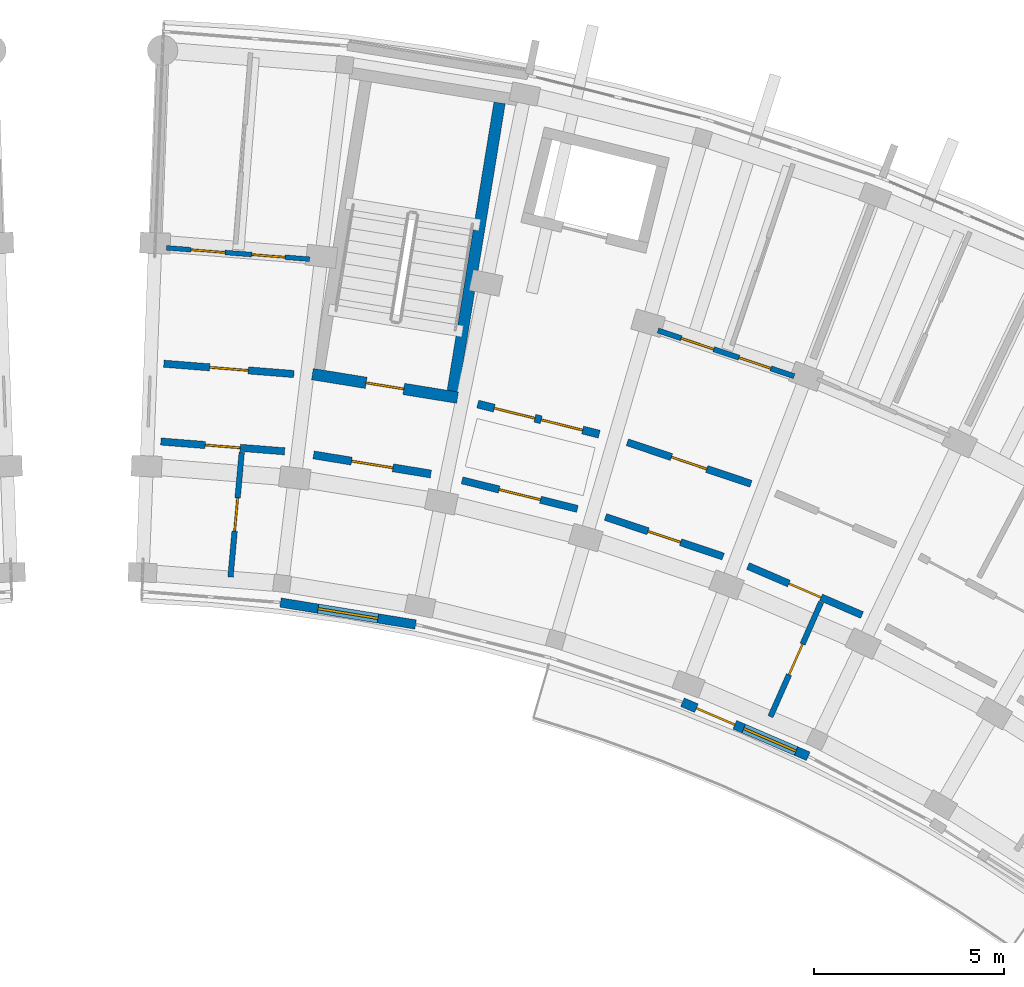
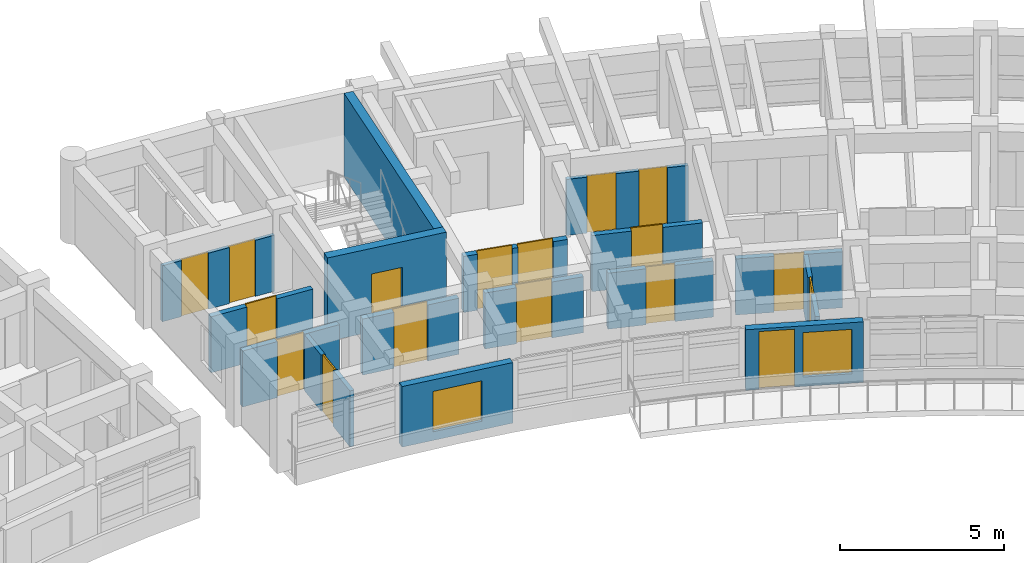
# One storey, part 30 of 56: 17 doors, 16 walls, 2 windows, 19 openings.
"""IFC4 building model written with IfcOpenShell, lengths in metres."""

from ifc_helpers import new_model, si_unit, direction, frame, frame_2d, origin, place, context, subcontext, project, spatial, rectangle, extrude, material, layer, layer_set, type_object, element, fill, save


model = new_model("IFC4")

# Units and contexts
model_context = context("Model", 3, precision=1e-05, world=origin(), true_north=direction((0.0, 1.0)))
body_context = subcontext(model_context, "Body", "Model", "MODEL_VIEW")
ifc_project = project(units=[si_unit("LENGTHUNIT", "METRE"), si_unit("AREAUNIT", "SQUARE_METRE"), si_unit("VOLUMEUNIT", "CUBIC_METRE"), si_unit("PLANEANGLEUNIT", "RADIAN"), si_unit("MASSUNIT", "GRAM", prefix="KILO")], contexts=[model_context])

# Site, building, storey
site_placement = place(None, origin())
site = spatial("IfcSite", under=ifc_project, at=site_placement, CompositionType="ELEMENT")
building_placement = place(site_placement, origin())
building = spatial("IfcBuilding", under=site, at=building_placement, Name="Zimvara Arc Housing Community", CompositionType="ELEMENT")
storey_placement = place(building_placement, frame((0.0, 0.0, 17.39990234375)))
storey = spatial("IfcBuildingStorey", under=building, at=storey_placement, Name="L05", CompositionType="ELEMENT", Elevation=17.39990234375)

# Wall, opening, window
ifc_material_1 = material(Name="Pigmented Fair-Faced Concrete C35/45", Category="concrete")
ifc_layer_1 = layer(ifc_material_1, 0.2451171875)
ifc_layer_set_1 = layer_set([ifc_layer_1], Name="Pigmented Fair-Faced Concrete C35/45")
wall_type_1 = type_object("IfcWallType", Name="EWL-PIGM-245", PredefinedType="SOLIDWALL", material=ifc_layer_set_1)
wall_1_placement = place(storey_placement, frame((50.36474609375, 88.79541015625, 0.0), z_axis=(0.0, 0.0, 1.0), x_axis=(0.987080874485, -0.160222804952, 0.0)))
wall_1 = element("IfcWall", 1, at=wall_1_placement, inside=storey, type_object=wall_type_1, Name="ewall:blkB:L05:in:b1", PredefinedType="SOLIDWALL", context=body_context, shape_type="SweptSolid", body=[
    extrude(rectangle(XDim=3.603759765625, YDim=0.2451171875, at=frame_2d((1.8017578125, 0.0))), origin(), (0.0, 0.0, 1.0), 2.25),
])
opening_1_placement = place(wall_1_placement, frame((1.001708984375, 0.0, 0.320068359375)))
opening_1 = element("IfcOpeningElement", 2, at=opening_1_placement, cuts=wall_1, Name="Opening W03", PredefinedType="OPENING", context=body_context, shape_type="SweptSolid", body=[
    extrude(rectangle(XDim=1.60009765625, YDim=1.5, at=frame_2d((0.800048828125, 0.75))), frame((0.0, 0.132568359375, 0.0), z_axis=(0.0, -1.0, 0.0), x_axis=(1.0, 0.0, 0.0)), (0.0, 0.0, 1.0), 0.26513671875),
])
ifc_material_2 = material(Name="Solar Control Low-E Double Glazing", Category="glass")
window_type_1 = type_object("IfcWindowType", Name="WIN-RES-1600x1500", PartitioningType="DOUBLE_PANEL_VERTICAL", PredefinedType="WINDOW", material=ifc_material_2)
window_1_placement = place(opening_1_placement, origin())
window_1 = element("IfcWindow", 3, at=window_1_placement, inside=storey, type_object=window_type_1, Name="win:blkB:L05:in:b1", OverallHeight=1.5, OverallWidth=1.60009765625, PartitioningType="DOUBLE_PANEL_VERTICAL", PredefinedType="WINDOW", context=body_context, shape_type="SweptSolid", body=[
    extrude(rectangle(XDim=1.60009765625, YDim=1.5, at=frame_2d((0.800048828125, 0.75))), frame((0.0, 0.030029296875, 0.0), z_axis=(0.0, -1.0, 0.0), x_axis=(1.0, 0.0, 0.0)), (0.0, 0.0, 1.0), 0.06005859375),
])
fill(opening_1, window_1)

# Wall, openings, door, window
wall_2_placement = place(storey_placement, frame((60.95068359375, 86.170654296875, 0.0), z_axis=(0.0, 0.0, 1.0), x_axis=(0.918713438577, -0.394924825477, 0.0)))
wall_2 = element("IfcWall", 4, at=wall_2_placement, inside=storey, type_object=wall_type_1, Name="ewall:blkB:L05:in:b4", PredefinedType="SOLIDWALL", context=body_context, shape_type="SweptSolid", body=[
    extrude(rectangle(XDim=3.603515625, YDim=0.2451171875, at=frame_2d((1.8017578125, 0.0))), origin(), (0.0, 0.0, 1.0), 2.25),
])
opening_2_placement = place(wall_2_placement, frame((0.39990234375, 0.0, 0.0)))
opening_2 = element("IfcOpeningElement", 5, at=opening_2_placement, cuts=wall_2, Name="Opening ED06", PredefinedType="OPENING", context=body_context, shape_type="SweptSolid", body=[
    extrude(rectangle(XDim=1.10009765625, YDim=2.14990234375, at=frame_2d((0.550048828125, 1.074951171875))), frame((0.0, 0.132568359375, 0.0), z_axis=(0.0, -1.0, 0.0), x_axis=(1.0, 0.0, 0.0)), (0.0, 0.0, 1.0), 0.26513671875),
])
opening_3_placement = place(wall_2_placement, frame((1.753662109375, 0.0, 0.35009765625)))
opening_3 = element("IfcOpeningElement", 6, at=opening_3_placement, cuts=wall_2, Name="Opening W07", PredefinedType="OPENING", context=body_context, shape_type="SweptSolid", body=[
    extrude(rectangle(XDim=1.5, YDim=1.64990234375, at=frame_2d((0.75, 0.824951171875))), frame((0.0, 0.132568359375, 0.0), z_axis=(0.0, -1.0, 0.0), x_axis=(1.0, 0.0, 0.0)), (0.0, 0.0, 1.0), 0.26513671875),
])
ifc_material_3 = material(Name="Anodised Aluminium AW-6063", Category="aluminium")
door_type_1 = type_object("IfcDoorType", Name="EDR-TERR-1100x2150", OperationType="NOTDEFINED", PredefinedType="DOOR", material=ifc_material_3)
door_1_placement = place(opening_2_placement, origin())
door_1 = element("IfcDoor", 7, at=door_1_placement, inside=storey, type_object=door_type_1, Name="edoor:blkB:L05:bal_in:b4", OperationType="SINGLE_SWING_RIGHT", OverallHeight=2.14990234375, OverallWidth=1.10009765625, PredefinedType="DOOR", context=body_context, shape_type="SweptSolid", body=[
    extrude(rectangle(XDim=1.10009765625, YDim=2.14990234375, at=frame_2d((0.550048828125, 1.074951171875))), frame((0.0, 0.02490234375, 0.0), z_axis=(0.0, -1.0, 0.0), x_axis=(1.0, 0.0, 0.0)), (0.0, 0.0, 1.0), 0.050048828125),
])
fill(opening_2, door_1)
ifc_material_4 = material(Name="Solar Control Low-E Double Glazing", Category="glass")
window_type_2 = type_object("IfcWindowType", Name="WIN-RES-1500x1650", PartitioningType="DOUBLE_PANEL_VERTICAL", PredefinedType="WINDOW", material=ifc_material_4)
window_2_placement = place(opening_3_placement, origin())
window_2 = element("IfcWindow", 8, at=window_2_placement, inside=storey, type_object=window_type_2, Name="win:blkB:L05:in:b4:balw", OverallHeight=1.64990234375, OverallWidth=1.5, PartitioningType="DOUBLE_PANEL_VERTICAL", PredefinedType="WINDOW", context=body_context, shape_type="SweptSolid", body=[
    extrude(rectangle(XDim=1.5, YDim=1.64990234375, at=frame_2d((0.75, 0.824951171875))), frame((0.0, 0.030029296875, 0.0), z_axis=(0.0, -1.0, 0.0), x_axis=(1.0, 0.0, 0.0)), (0.0, 0.0, 1.0), 0.06005859375),
])
fill(opening_3, window_2)

# Wall, opening, door
ifc_material_5 = material(Name="Concrete C35/45", Category="concrete")
ifc_layer_2 = layer(ifc_material_5, 0.2099609375)
ifc_layer_set_2 = layer_set([ifc_layer_2], Name="Concrete C35/45")
wall_type_2 = type_object("IfcWallType", Name="IWL-CCF-210", PredefinedType="SOLIDWALL", material=ifc_layer_set_2)
wall_3_placement = place(storey_placement, frame((51.236328125, 92.682861328125, 0.0), z_axis=(0.0, 0.0, 1.0), x_axis=(0.98707079686, -0.160284877599, 0.0)))
wall_3 = element("IfcWall", 9, at=wall_3_placement, inside=storey, type_object=wall_type_2, Name="iwall:blkB:L05:ccf_div:b1", PredefinedType="SOLIDWALL", context=body_context, shape_type="SweptSolid", body=[
    extrude(rectangle(XDim=3.128662109375, YDim=0.2099609375, at=frame_2d((1.564453125, 0.0))), origin(), (0.0, 0.0, 1.0), 2.080078125),
])
opening_4_placement = place(wall_3_placement, frame((1.014404296875, 0.0, 0.0)))
opening_4 = element("IfcOpeningElement", 10, at=opening_4_placement, cuts=wall_3, Name="Opening FD-CCF1", PredefinedType="OPENING", context=body_context, shape_type="SweptSolid", body=[
    extrude(rectangle(XDim=1.10009765625, YDim=2.14990234375, at=frame_2d((0.550048828125, 1.074951171875))), frame((0.0, 0.114990234375, 0.0), z_axis=(0.0, -1.0, 0.0), x_axis=(1.0, 0.0, 0.0)), (0.0, 0.0, 1.0), 0.22998046875),
])
ifc_material_6 = material(Name="Anodised Aluminium AW-6063", Category="aluminium")
door_type_2 = type_object("IfcDoorType", Name="IDR-CCF-1100x2150", OperationType="NOTDEFINED", PredefinedType="DOOR", material=ifc_material_6)
door_2_placement = place(opening_4_placement, origin())
door_2 = element("IfcDoor", 11, at=door_2_placement, inside=storey, type_object=door_type_2, Name="idoor:blkB:L05:ccf_in:b1", OperationType="SINGLE_SWING_LEFT", OverallHeight=2.14990234375, OverallWidth=1.10009765625, PredefinedType="DOOR", context=body_context, shape_type="SweptSolid", body=[
    extrude(rectangle(XDim=1.10009765625, YDim=2.14990234375, at=frame_2d((0.550048828125, 1.074951171875))), frame((0.0, 0.02490234375, 0.0), z_axis=(0.0, -1.0, 0.0), x_axis=(1.0, 0.0, 0.0)), (0.0, 0.0, 1.0), 0.050048828125),
])
fill(opening_4, door_2)

# Wall, openings, doors
wall_4_placement = place(storey_placement, frame((55.5576171875, 94.021728515625, 0.0), z_axis=(0.0, 0.0, 1.0), x_axis=(0.970719238682, -0.240216901263, 0.0)))
wall_4 = element("IfcWall", 12, at=wall_4_placement, inside=storey, type_object=wall_type_2, Name="iwall:blkB:L05:ll_div:b2", PredefinedType="SOLIDWALL", context=body_context, shape_type="SweptSolid", body=[
    extrude(rectangle(XDim=3.2958984375, YDim=0.2099609375, at=frame_2d((1.64794921875, 0.0))), origin(), (0.0, 0.0, 1.0), 2.080078125),
])
opening_5_placement = place(wall_4_placement, frame((0.449951171875, 0.0, 0.0)))
opening_5 = element("IfcOpeningElement", 13, at=opening_5_placement, cuts=wall_4, Name="Opening FD-CCF1", PredefinedType="OPENING", context=body_context, shape_type="SweptSolid", body=[
    extrude(rectangle(XDim=1.10009765625, YDim=2.14990234375, at=frame_2d((0.550048828125, 1.074951171875))), frame((0.0, 0.114990234375, 0.0), z_axis=(0.0, -1.0, 0.0), x_axis=(1.0, 0.0, 0.0)), (0.0, 0.0, 1.0), 0.22998046875),
])
opening_6_placement = place(wall_4_placement, frame((1.72607421875, 0.0, 0.0)))
opening_6 = element("IfcOpeningElement", 14, at=opening_6_placement, cuts=wall_4, Name="Opening D07", PredefinedType="OPENING", context=body_context, shape_type="SweptSolid", body=[
    extrude(rectangle(XDim=1.1201171875, YDim=2.14990234375, at=frame_2d((0.56005859375, 1.074951171875))), frame((0.0, 0.114990234375, 0.0), z_axis=(0.0, -1.0, 0.0), x_axis=(1.0, 0.0, 0.0)), (0.0, 0.0, 1.0), 0.22998046875),
])
ifc_material_7 = material(Name="Mozambican Hardwood", Category="wood")
door_type_3 = type_object("IfcDoorType", Name="IDR-AMN-1120x2150", OperationType="NOTDEFINED", PredefinedType="DOOR", material=ifc_material_7)
door_3_placement = place(opening_6_placement, origin())
door_3 = element("IfcDoor", 15, at=door_3_placement, inside=storey, type_object=door_type_3, Name="idoor:blkB:L05:rs_in:b2", OperationType="SINGLE_SWING_LEFT", OverallHeight=2.14990234375, OverallWidth=1.1201171875, PredefinedType="DOOR", context=body_context, shape_type="SweptSolid", body=[
    extrude(rectangle(XDim=1.1201171875, YDim=2.14990234375, at=frame_2d((0.56005859375, 1.074951171875))), frame((0.0, 0.02490234375, 0.0), z_axis=(0.0, -1.0, 0.0), x_axis=(1.0, 0.0, 0.0)), (0.0, 0.0, 1.0), 0.050048828125),
])
fill(opening_6, door_3)
door_4_placement = place(opening_5_placement, origin())
door_4 = element("IfcDoor", 16, at=door_4_placement, inside=storey, type_object=door_type_2, Name="idoor:blkB:L05:ll_in:b2", OperationType="SINGLE_SWING_RIGHT", OverallHeight=2.14990234375, OverallWidth=1.10009765625, PredefinedType="DOOR", context=body_context, shape_type="SweptSolid", body=[
    extrude(rectangle(XDim=1.10009765625, YDim=2.14990234375, at=frame_2d((0.550048828125, 1.074951171875))), frame((0.0, 0.02490234375, 0.0), z_axis=(0.0, -1.0, 0.0), x_axis=(1.0, 0.0, 0.0)), (0.0, 0.0, 1.0), 0.050048828125),
])
fill(opening_5, door_4)

# Wall, opening, door
ifc_material_8 = material(Name="Concrete C35/45", Category="concrete")
ifc_layer_3 = layer(ifc_material_8, 0.18994140625)
ifc_layer_set_3 = layer_set([ifc_layer_3], Name="Concrete C35/45")
wall_type_3 = type_object("IfcWallType", Name="IWL-CORR-190", PredefinedType="SOLIDWALL", material=ifc_layer_set_3)
wall_5_placement = place(storey_placement, frame((47.293212890625, 95.0849609375, 0.0), z_axis=(0.0, 0.0, 1.0), x_axis=(0.996862545573, -0.079152165058, 0.0)))
wall_5 = element("IfcWall", 17, at=wall_5_placement, inside=storey, type_object=wall_type_3, Name="iwall:blkB:L05:corr_out:b0", PredefinedType="SOLIDWALL", context=body_context, shape_type="SweptSolid", body=[
    extrude(rectangle(XDim=3.43603515625, YDim=0.18994140625, at=frame_2d((1.718017578125, 0.0))), origin(), (0.0, 0.0, 1.0), 2.080078125),
])
opening_7_placement = place(wall_5_placement, frame((1.2080078125, 0.0, 0.0)))
opening_7 = element("IfcOpeningElement", 18, at=opening_7_placement, cuts=wall_5, Name="Opening FD-FL2", PredefinedType="OPENING", context=body_context, shape_type="SweptSolid", body=[
    extrude(rectangle(XDim=1.02001953125, YDim=2.14990234375, at=frame_2d((0.510009765625, 1.074951171875))), frame((0.0, 0.10498046875, 0.0), z_axis=(0.0, -1.0, 0.0), x_axis=(1.0, 0.0, 0.0)), (0.0, 0.0, 1.0), 0.2099609375),
])
ifc_material_9 = material(Name="Mozambican Hardwood", Category="wood")
door_type_4 = type_object("IfcDoorType", Name="IDR-FLAT-1020x2150", OperationType="NOTDEFINED", PredefinedType="DOOR", material=ifc_material_9)
door_5_placement = place(opening_7_placement, origin())
door_5 = element("IfcDoor", 19, at=door_5_placement, inside=storey, type_object=door_type_4, Name="idoor:blkB:L05:flat:b0", OperationType="SINGLE_SWING_LEFT", OverallHeight=2.14990234375, OverallWidth=1.02001953125, PredefinedType="DOOR", context=body_context, shape_type="SweptSolid", body=[
    extrude(rectangle(XDim=1.02001953125, YDim=2.14990234375, at=frame_2d((0.510009765625, 1.074951171875))), frame((0.0, 0.02490234375, 0.0), z_axis=(0.0, -1.0, 0.0), x_axis=(1.0, 0.0, 0.0)), (0.0, 0.0, 1.0), 0.050048828125),
])
fill(opening_7, door_5)

wall_6_placement = place(storey_placement, frame((47.214599609375, 93.036376953125, 0.0), z_axis=(0.0, 0.0, 1.0), x_axis=(0.99686660806, -0.07910098441, 0.0)))
wall_6 = element("IfcWall", 20, at=wall_6_placement, inside=storey, type_object=wall_type_3, Name="iwall:blkB:L05:corr_in:b0", PredefinedType="SOLIDWALL", context=body_context, shape_type="SweptSolid", body=[
    extrude(rectangle(XDim=3.2685546875, YDim=0.18994140625, at=frame_2d((1.63427734375, 0.0))), origin(), (0.0, 0.0, 1.0), 2.080078125),
])
opening_8_placement = place(wall_6_placement, frame((1.17431640625, 0.0, 0.0)))
opening_8 = element("IfcOpeningElement", 21, at=opening_8_placement, cuts=wall_6, Name="Opening D02", PredefinedType="OPENING", context=body_context, shape_type="SweptSolid", body=[
    extrude(rectangle(XDim=0.919921875, YDim=2.10009765625, at=frame_2d((0.4599609375, 1.050048828125))), frame((0.0, 0.10498046875, 0.0), z_axis=(0.0, -1.0, 0.0), x_axis=(1.0, 0.0, 0.0)), (0.0, 0.0, 1.0), 0.2099609375),
])
ifc_material_10 = material(Name="Mozambican Hardwood", Category="wood")
door_type_5 = type_object("IfcDoorType", Name="IDR-RM-0920x2100", OperationType="NOTDEFINED", PredefinedType="DOOR", material=ifc_material_10)
door_6_placement = place(opening_8_placement, origin())
door_6 = element("IfcDoor", 22, at=door_6_placement, inside=storey, type_object=door_type_5, Name="idoor:blkB:L05:in_rm:b0", OperationType="SINGLE_SWING_RIGHT", OverallHeight=2.10009765625, OverallWidth=0.919921875, PredefinedType="DOOR", context=body_context, shape_type="SweptSolid", body=[
    extrude(rectangle(XDim=0.919921875, YDim=2.10009765625, at=frame_2d((0.4599609375, 1.050048828125))), frame((0.0, 0.02490234375, 0.0), z_axis=(0.0, -1.0, 0.0), x_axis=(1.0, 0.0, 0.0)), (0.0, 0.0, 1.0), 0.050048828125),
])
fill(opening_8, door_6)

wall_7_placement = place(storey_placement, frame((55.146728515625, 92.01318359375, 0.0), z_axis=(0.0, 0.0, 1.0), x_axis=(0.970727194092, -0.240184751078, 0.0)))
wall_7 = element("IfcWall", 23, at=wall_7_placement, inside=storey, type_object=wall_type_3, Name="iwall:blkB:L05:ra_div:b2", PredefinedType="SOLIDWALL", context=body_context, shape_type="SweptSolid", body=[
    extrude(rectangle(XDim=3.128662109375, YDim=0.18994140625, at=frame_2d((1.564453125, 0.0))), origin(), (0.0, 0.0, 1.0), 2.080078125),
])
opening_9_placement = place(wall_7_placement, frame((1.00439453125, 0.0, 0.0)))
opening_9 = element("IfcOpeningElement", 24, at=opening_9_placement, cuts=wall_7, Name="Opening D07", PredefinedType="OPENING", context=body_context, shape_type="SweptSolid", body=[
    extrude(rectangle(XDim=1.1201171875, YDim=2.14990234375, at=frame_2d((0.56005859375, 1.074951171875))), frame((0.0, 0.10498046875, 0.0), z_axis=(0.0, -1.0, 0.0), x_axis=(1.0, 0.0, 0.0)), (0.0, 0.0, 1.0), 0.2099609375),
])
door_7_placement = place(opening_9_placement, origin())
door_7 = element("IfcDoor", 25, at=door_7_placement, inside=storey, type_object=door_type_3, Name="idoor:blkB:L05:ra_d:b2", OperationType="SINGLE_SWING_RIGHT", OverallHeight=2.14990234375, OverallWidth=1.1201171875, PredefinedType="DOOR", context=body_context, shape_type="SweptSolid", body=[
    extrude(rectangle(XDim=1.1201171875, YDim=2.14990234375, at=frame_2d((0.56005859375, 1.074951171875))), frame((0.0, 0.02490234375, 0.0), z_axis=(0.0, -1.0, 0.0), x_axis=(1.0, 0.0, 0.0)), (0.0, 0.0, 1.0), 0.050048828125),
])
fill(opening_9, door_7)

wall_8_placement = place(storey_placement, frame((59.49658203125, 93.017578125, 0.0), z_axis=(0.0, 0.0, 1.0), x_axis=(0.947863007629, -0.318678080151, 0.0)))
wall_8 = element("IfcWall", 26, at=wall_8_placement, inside=storey, type_object=wall_type_3, Name="iwall:blkB:L05:corr_out:b3", PredefinedType="SOLIDWALL", context=body_context, shape_type="SweptSolid", body=[
    extrude(rectangle(XDim=3.43603515625, YDim=0.18994140625, at=frame_2d((1.718017578125, 0.0))), origin(), (0.0, 0.0, 1.0), 2.080078125),
])
opening_10_placement = place(wall_8_placement, frame((1.22802734375, 0.0, 0.0)))
opening_10 = element("IfcOpeningElement", 27, at=opening_10_placement, cuts=wall_8, Name="Opening FD-FL1", PredefinedType="OPENING", context=body_context, shape_type="SweptSolid", body=[
    extrude(rectangle(XDim=0.97998046875, YDim=2.14990234375, at=frame_2d((0.489990234375, 1.074951171875))), frame((0.0, 0.10498046875, 0.0), z_axis=(0.0, -1.0, 0.0), x_axis=(1.0, 0.0, 0.0)), (0.0, 0.0, 1.0), 0.2099609375),
])
ifc_material_11 = material(Name="Mozambican Hardwood", Category="wood")
door_type_6 = type_object("IfcDoorType", Name="IDR-FLAT-0980x2150", OperationType="NOTDEFINED", PredefinedType="DOOR", material=ifc_material_11)
door_8_placement = place(opening_10_placement, origin())
door_8 = element("IfcDoor", 28, at=door_8_placement, inside=storey, type_object=door_type_6, Name="idoor:blkB:L05:flat:b3", OperationType="SINGLE_SWING_LEFT", OverallHeight=2.14990234375, OverallWidth=0.97998046875, PredefinedType="DOOR", context=body_context, shape_type="SweptSolid", body=[
    extrude(rectangle(XDim=0.97998046875, YDim=2.14990234375, at=frame_2d((0.489990234375, 1.074951171875))), frame((0.0, 0.02490234375, 0.0), z_axis=(0.0, -1.0, 0.0), x_axis=(1.0, 0.0, 0.0)), (0.0, 0.0, 1.0), 0.050048828125),
])
fill(opening_10, door_8)

wall_9_placement = place(storey_placement, frame((58.92333984375, 91.04931640625, 0.0), z_axis=(0.0, 0.0, 1.0), x_axis=(0.94787351033, -0.318646839643, 0.0)))
wall_9 = element("IfcWall", 29, at=wall_9_placement, inside=storey, type_object=wall_type_3, Name="iwall:blkB:L05:corr_in:b3", PredefinedType="SOLIDWALL", context=body_context, shape_type="SweptSolid", body=[
    extrude(rectangle(XDim=3.2685546875, YDim=0.18994140625, at=frame_2d((1.63427734375, 0.0))), origin(), (0.0, 0.0, 1.0), 2.080078125),
])
opening_11_placement = place(wall_9_placement, frame((1.184326171875, 0.0, 0.0)))
opening_11 = element("IfcOpeningElement", 30, at=opening_11_placement, cuts=wall_9, Name="Opening D01", PredefinedType="OPENING", context=body_context, shape_type="SweptSolid", body=[
    extrude(rectangle(XDim=0.89990234375, YDim=2.10009765625, at=frame_2d((0.449951171875, 1.050048828125))), frame((0.0, 0.10498046875, 0.0), z_axis=(0.0, -1.0, 0.0), x_axis=(1.0, 0.0, 0.0)), (0.0, 0.0, 1.0), 0.2099609375),
])
ifc_material_12 = material(Name="Mozambican Hardwood", Category="wood")
door_type_7 = type_object("IfcDoorType", Name="IDR-RM-0900x2100", OperationType="NOTDEFINED", PredefinedType="DOOR", material=ifc_material_12)
door_9_placement = place(opening_11_placement, origin())
door_9 = element("IfcDoor", 31, at=door_9_placement, inside=storey, type_object=door_type_7, Name="idoor:blkB:L05:in_rm:b3", OperationType="SINGLE_SWING_RIGHT", OverallHeight=2.10009765625, OverallWidth=0.89990234375, PredefinedType="DOOR", context=body_context, shape_type="SweptSolid", body=[
    extrude(rectangle(XDim=0.89990234375, YDim=2.10009765625, at=frame_2d((0.449951171875, 1.050048828125))), frame((0.0, 0.02490234375, 0.0), z_axis=(0.0, -1.0, 0.0), x_axis=(1.0, 0.0, 0.0)), (0.0, 0.0, 1.0), 0.050048828125),
])
fill(opening_11, door_9)

wall_10_placement = place(storey_placement, frame((62.6748046875, 89.758056640625, 0.0), z_axis=(0.0, 0.0, 1.0), x_axis=(0.918723391052, -0.394901672235, 0.0)))
wall_10 = element("IfcWall", 32, at=wall_10_placement, inside=storey, type_object=wall_type_3, Name="iwall:blkB:L05:corr_in:b4", PredefinedType="SOLIDWALL", context=body_context, shape_type="SweptSolid", body=[
    extrude(rectangle(XDim=3.2685546875, YDim=0.18994140625, at=frame_2d((1.63427734375, 0.0))), origin(), (0.0, 0.0, 1.0), 2.080078125),
])
opening_12_placement = place(wall_10_placement, frame((1.17431640625, 0.0, 0.0)))
opening_12 = element("IfcOpeningElement", 33, at=opening_12_placement, cuts=wall_10, Name="Opening D02", PredefinedType="OPENING", context=body_context, shape_type="SweptSolid", body=[
    extrude(rectangle(XDim=0.919921875, YDim=2.10009765625, at=frame_2d((0.4599609375, 1.050048828125))), frame((0.0, 0.10498046875, 0.0), z_axis=(0.0, -1.0, 0.0), x_axis=(1.0, 0.0, 0.0)), (0.0, 0.0, 1.0), 0.2099609375),
])
door_10_placement = place(opening_12_placement, origin())
door_10 = element("IfcDoor", 34, at=door_10_placement, inside=storey, type_object=door_type_5, Name="idoor:blkB:L05:in_rm:b4", OperationType="SINGLE_SWING_LEFT", OverallHeight=2.10009765625, OverallWidth=0.919921875, PredefinedType="DOOR", context=body_context, shape_type="SweptSolid", body=[
    extrude(rectangle(XDim=0.919921875, YDim=2.10009765625, at=frame_2d((0.4599609375, 1.050048828125))), frame((0.0, 0.02490234375, 0.0), z_axis=(0.0, -1.0, 0.0), x_axis=(1.0, 0.0, 0.0)), (0.0, 0.0, 1.0), 0.050048828125),
])
fill(opening_12, door_10)

# Wall, openings, doors
ifc_material_13 = material(Name="Painted Acoustic Plasterboard")
ifc_layer_4 = layer(ifc_material_13, 0.125)
ifc_layer_set_4 = layer_set([ifc_layer_4], Name="Painted Acoustic Plasterboard")
wall_type_4 = type_object("IfcWallType", Name="IWL-PART-125", PredefinedType="PARTITIONING", material=ifc_layer_set_4)
wall_11_placement = place(storey_placement, frame((47.360595703125, 98.13671875, 0.0), z_axis=(0.0, 0.0, 1.0), x_axis=(0.996863292793, -0.079142753818, 0.0)))
wall_11 = element("IfcWall", 35, at=wall_11_placement, inside=storey, type_object=wall_type_4, Name="iwall:blkB:L05:srv:b0", PredefinedType="PARTITIONING", context=body_context, shape_type="SweptSolid", body=[
    extrude(rectangle(XDim=3.78515625, YDim=0.125, at=frame_2d((1.892578125, 0.0))), origin(), (0.0, 0.0, 1.0), 2.080078125),
])
opening_13_placement = place(wall_11_placement, frame((0.64990234375, 0.0, 0.0)))
opening_13 = element("IfcOpeningElement", 36, at=opening_13_placement, cuts=wall_11, Name="Opening D01", PredefinedType="OPENING", context=body_context, shape_type="SweptSolid", body=[
    extrude(rectangle(XDim=0.89990234375, YDim=2.10009765625, at=frame_2d((0.449951171875, 1.050048828125))), frame((0.0, 0.072509765625, 0.0), z_axis=(0.0, -1.0, 0.0), x_axis=(1.0, 0.0, 0.0)), (0.0, 0.0, 1.0), 0.14501953125),
])
opening_14_placement = place(wall_11_placement, frame((2.255126953125, 0.0, 0.0)))
opening_14 = element("IfcOpeningElement", 37, at=opening_14_placement, cuts=wall_11, Name="Opening D05", PredefinedType="OPENING", context=body_context, shape_type="SweptSolid", body=[
    extrude(rectangle(XDim=0.8798828125, YDim=2.10009765625, at=frame_2d((0.43994140625, 1.050048828125))), frame((0.0, 0.072509765625, 0.0), z_axis=(0.0, -1.0, 0.0), x_axis=(1.0, 0.0, 0.0)), (0.0, 0.0, 1.0), 0.14501953125),
])
door_11_placement = place(opening_13_placement, origin())
door_11 = element("IfcDoor", 38, at=door_11_placement, inside=storey, type_object=door_type_7, Name="idoor:blkB:L05:kit_liv:b0", OperationType="SINGLE_SWING_RIGHT", OverallHeight=2.10009765625, OverallWidth=0.89990234375, PredefinedType="DOOR", context=body_context, shape_type="SweptSolid", body=[
    extrude(rectangle(XDim=0.89990234375, YDim=2.10009765625, at=frame_2d((0.449951171875, 1.050048828125))), frame((0.0, 0.02490234375, 0.0), z_axis=(0.0, -1.0, 0.0), x_axis=(1.0, 0.0, 0.0)), (0.0, 0.0, 1.0), 0.050048828125),
])
fill(opening_13, door_11)
ifc_material_14 = material(Name="Mozambican Hardwood", Category="wood")
door_type_8 = type_object("IfcDoorType", Name="IDR-WC-0880x2100", OperationType="NOTDEFINED", PredefinedType="DOOR", material=ifc_material_14)
door_12_placement = place(opening_14_placement, origin())
door_12 = element("IfcDoor", 39, at=door_12_placement, inside=storey, type_object=door_type_8, Name="idoor:blkB:L05:bath_d:b0", OperationType="SINGLE_SWING_LEFT", OverallHeight=2.10009765625, OverallWidth=0.8798828125, PredefinedType="DOOR", context=body_context, shape_type="SweptSolid", body=[
    extrude(rectangle(XDim=0.8798828125, YDim=2.10009765625, at=frame_2d((0.43994140625, 1.050048828125))), frame((0.0, 0.02490234375, 0.0), z_axis=(0.0, -1.0, 0.0), x_axis=(1.0, 0.0, 0.0)), (0.0, 0.0, 1.0), 0.050048828125),
])
fill(opening_14, door_12)

ifc_material_15 = material(Name="Painted Acoustic Plasterboard")
ifc_layer_5 = layer(ifc_material_15, 0.139892578125)
ifc_layer_set_5 = layer_set([ifc_layer_5], Name="Painted Acoustic Plasterboard")
wall_type_5 = type_object("IfcWallType", Name="IWL-PART-140", PredefinedType="PARTITIONING", material=ifc_layer_set_5)
wall_12_placement = place(storey_placement, frame((60.30224609375, 95.961669921875, 0.0), z_axis=(0.0, 0.0, 1.0), x_axis=(0.947873924847, -0.318645606584, 0.0)))
wall_12 = element("IfcWall", 40, at=wall_12_placement, inside=storey, type_object=wall_type_5, Name="iwall:blkB:L05:srv:b3", PredefinedType="PARTITIONING", context=body_context, shape_type="SweptSolid", body=[
    extrude(rectangle(XDim=3.784912109375, YDim=0.139892578125, at=frame_2d((1.892578125, 0.0))), origin(), (0.0, 0.0, 1.0), 2.080078125),
])
opening_15_placement = place(wall_12_placement, frame((0.64990234375, 0.0, 0.0)))
opening_15 = element("IfcOpeningElement", 41, at=opening_15_placement, cuts=wall_12, Name="Opening D01", PredefinedType="OPENING", context=body_context, shape_type="SweptSolid", body=[
    extrude(rectangle(XDim=0.89990234375, YDim=2.10009765625, at=frame_2d((0.449951171875, 1.050048828125))), frame((0.0, 0.079833984375, 0.0), z_axis=(0.0, -1.0, 0.0), x_axis=(1.0, 0.0, 0.0)), (0.0, 0.0, 1.0), 0.159912109375),
])
opening_16_placement = place(wall_12_placement, frame((2.255126953125, 0.0, 0.0)))
opening_16 = element("IfcOpeningElement", 42, at=opening_16_placement, cuts=wall_12, Name="Opening D05", PredefinedType="OPENING", context=body_context, shape_type="SweptSolid", body=[
    extrude(rectangle(XDim=0.8798828125, YDim=2.10009765625, at=frame_2d((0.43994140625, 1.050048828125))), frame((0.0, 0.079833984375, 0.0), z_axis=(0.0, -1.0, 0.0), x_axis=(1.0, 0.0, 0.0)), (0.0, 0.0, 1.0), 0.159912109375),
])
door_13_placement = place(opening_15_placement, origin())
door_13 = element("IfcDoor", 43, at=door_13_placement, inside=storey, type_object=door_type_7, Name="idoor:blkB:L05:kit_liv:b3", OperationType="SINGLE_SWING_LEFT", OverallHeight=2.10009765625, OverallWidth=0.89990234375, PredefinedType="DOOR", context=body_context, shape_type="SweptSolid", body=[
    extrude(rectangle(XDim=0.89990234375, YDim=2.10009765625, at=frame_2d((0.449951171875, 1.050048828125))), frame((0.0, 0.02490234375, 0.0), z_axis=(0.0, -1.0, 0.0), x_axis=(1.0, 0.0, 0.0)), (0.0, 0.0, 1.0), 0.050048828125),
])
fill(opening_15, door_13)
door_14_placement = place(opening_16_placement, origin())
door_14 = element("IfcDoor", 44, at=door_14_placement, inside=storey, type_object=door_type_8, Name="idoor:blkB:L05:bath_d:b3", OperationType="SINGLE_SWING_RIGHT", OverallHeight=2.10009765625, OverallWidth=0.8798828125, PredefinedType="DOOR", context=body_context, shape_type="SweptSolid", body=[
    extrude(rectangle(XDim=0.8798828125, YDim=2.10009765625, at=frame_2d((0.43994140625, 1.050048828125))), frame((0.0, 0.02490234375, 0.0), z_axis=(0.0, -1.0, 0.0), x_axis=(1.0, 0.0, 0.0)), (0.0, 0.0, 1.0), 0.050048828125),
])
fill(opening_16, door_14)

# Wall, opening, door
ifc_material_16 = material(Name="Painted Acoustic Plasterboard")
ifc_layer_6 = layer(ifc_material_16, 0.14501953125)
ifc_layer_set_6 = layer_set([ifc_layer_6], Name="Painted Acoustic Plasterboard")
wall_type_6 = type_object("IfcWallType", Name="IWL-WET-145", PredefinedType="PARTITIONING", material=ifc_layer_set_6)
wall_13_placement = place(storey_placement, frame((49.048828125, 89.468017578125, 0.0), z_axis=(0.0, 0.0, 1.0), x_axis=(0.089661916212, 0.995972259042, 0.0)))
wall_13 = element("IfcWall", 45, at=wall_13_placement, inside=storey, type_object=wall_type_6, Name="iwall:blkB:L05:ens:b0", PredefinedType="PARTITIONING", context=body_context, shape_type="SweptSolid", body=[
    extrude(rectangle(XDim=3.300048828125, YDim=0.14501953125, at=frame_2d((1.64990234375, 0.0))), origin(), (0.0, 0.0, 1.0), 2.080078125),
])
opening_17_placement = place(wall_13_placement, frame((1.2099609375, 0.0, 0.0)))
opening_17 = element("IfcOpeningElement", 46, at=opening_17_placement, cuts=wall_13, Name="Opening D05", PredefinedType="OPENING", context=body_context, shape_type="SweptSolid", body=[
    extrude(rectangle(XDim=0.8798828125, YDim=2.10009765625, at=frame_2d((0.43994140625, 1.050048828125))), frame((0.0, 0.08251953125, 0.0), z_axis=(0.0, -1.0, 0.0), x_axis=(1.0, 0.0, 0.0)), (0.0, 0.0, 1.0), 0.1650390625),
])
door_15_placement = place(opening_17_placement, origin())
door_15 = element("IfcDoor", 47, at=door_15_placement, inside=storey, type_object=door_type_8, Name="idoor:blkB:L05:ens_d:b0", OperationType="SINGLE_SWING_LEFT", OverallHeight=2.10009765625, OverallWidth=0.8798828125, PredefinedType="DOOR", context=body_context, shape_type="SweptSolid", body=[
    extrude(rectangle(XDim=0.8798828125, YDim=2.10009765625, at=frame_2d((0.43994140625, 1.050048828125))), frame((0.0, 0.02490234375, 0.0), z_axis=(0.0, -1.0, 0.0), x_axis=(1.0, 0.0, 0.0)), (0.0, 0.0, 1.0), 0.050048828125),
])
fill(opening_17, door_15)

wall_14_placement = place(storey_placement, frame((63.266845703125, 85.789794921875, 0.0), z_axis=(0.0, 0.0, 1.0), x_axis=(0.404545283439, 0.91451796792, 0.0)))
wall_14 = element("IfcWall", 48, at=wall_14_placement, inside=storey, type_object=wall_type_6, Name="iwall:blkB:L05:ens:b4", PredefinedType="PARTITIONING", context=body_context, shape_type="SweptSolid", body=[
    extrude(rectangle(XDim=3.2998046875, YDim=0.14501953125, at=frame_2d((1.64990234375, 0.0))), origin(), (0.0, 0.0, 1.0), 2.080078125),
])
opening_18_placement = place(wall_14_placement, frame((1.2099609375, 0.0, 0.0)))
opening_18 = element("IfcOpeningElement", 49, at=opening_18_placement, cuts=wall_14, Name="Opening D05", PredefinedType="OPENING", context=body_context, shape_type="SweptSolid", body=[
    extrude(rectangle(XDim=0.8798828125, YDim=2.10009765625, at=frame_2d((0.43994140625, 1.050048828125))), frame((0.0, 0.08251953125, 0.0), z_axis=(0.0, -1.0, 0.0), x_axis=(1.0, 0.0, 0.0)), (0.0, 0.0, 1.0), 0.1650390625),
])
door_16_placement = place(opening_18_placement, origin())
door_16 = element("IfcDoor", 50, at=door_16_placement, inside=storey, type_object=door_type_8, Name="idoor:blkB:L05:ens_d:b4", OperationType="SINGLE_SWING_RIGHT", OverallHeight=2.10009765625, OverallWidth=0.8798828125, PredefinedType="DOOR", context=body_context, shape_type="SweptSolid", body=[
    extrude(rectangle(XDim=0.8798828125, YDim=2.10009765625, at=frame_2d((0.43994140625, 1.050048828125))), frame((0.0, 0.02490234375, 0.0), z_axis=(0.0, -1.0, 0.0), x_axis=(1.0, 0.0, 0.0)), (0.0, 0.0, 1.0), 0.050048828125),
])
fill(opening_18, door_16)

ifc_material_17 = material(Name="Concrete C40/50", Category="concrete")
ifc_layer_7 = layer(ifc_material_17, 0.300048828125)
ifc_layer_set_7 = layer_set([ifc_layer_7], Name="Concrete C40/50")
wall_type_7 = type_object("IfcWallType", Name="WL-CORE-300", PredefinedType="SHEAR", material=ifc_layer_set_7)
wall_15_placement = place(storey_placement, frame((55.026123046875, 94.1904296875, 0.0), z_axis=(0.0, 0.0, 1.0), x_axis=(-0.987077443397, 0.160243941341, 0.0)))
wall_15 = element("IfcWall", 51, at=wall_15_placement, inside=storey, type_object=wall_type_7, Name="cwall:ST-B1:L05:near", PredefinedType="SHEAR", context=body_context, shape_type="SweptSolid", body=[
    extrude(rectangle(XDim=3.869873046875, YDim=0.300048828125, at=frame_2d((1.93505859375, 0.0))), origin(), (0.0, 0.0, 1.0), 3.10009765625),
])
opening_19_placement = place(wall_15_placement, frame((1.43505859375, 0.0, 0.0)))
opening_19 = element("IfcOpeningElement", 52, at=opening_19_placement, cuts=wall_15, Name="Opening FD-ST1", PredefinedType="OPENING", context=body_context, shape_type="SweptSolid", body=[
    extrude(rectangle(XDim=1.0, YDim=2.14990234375, at=frame_2d((0.5, 1.074951171875))), frame((0.0, 0.159912109375, 0.0), z_axis=(0.0, -1.0, 0.0), x_axis=(1.0, 0.0, 0.0)), (0.0, 0.0, 1.0), 0.320068359375),
])
ifc_material_18 = material(Name="Anodised Aluminium AW-6063", Category="aluminium")
door_type_9 = type_object("IfcDoorType", Name="IDR-ST-1000x2150", OperationType="NOTDEFINED", PredefinedType="DOOR", material=ifc_material_18)
door_17_placement = place(opening_19_placement, origin())
door_17 = element("IfcDoor", 53, at=door_17_placement, inside=storey, type_object=door_type_9, Name="idoor:ST-B1:L05:entry", OperationType="SINGLE_SWING_LEFT", OverallHeight=2.14990234375, OverallWidth=1.0, PredefinedType="DOOR", context=body_context, shape_type="SweptSolid", body=[
    extrude(rectangle(XDim=1.0, YDim=2.14990234375, at=frame_2d((0.5, 1.074951171875))), frame((0.0, 0.02490234375, 0.0), z_axis=(0.0, -1.0, 0.0), x_axis=(1.0, 0.0, 0.0)), (0.0, 0.0, 1.0), 0.050048828125),
])
fill(opening_19, door_17)

# Wall
wall_16_placement = place(storey_placement, frame((54.902099609375, 94.362548828125, 0.0), z_axis=(0.0, 0.0, 1.0), x_axis=(0.160227496777, 0.987080112897, 0.0)))
element("IfcWall", 54, at=wall_16_placement, inside=storey, type_object=wall_type_7, Name="cwall:ST-B1:L05:left", PredefinedType="SHEAR", context=body_context, shape_type="SweptSolid", body=[
    extrude(rectangle(XDim=7.690185546875, YDim=0.300048828125, at=frame_2d((3.84521484375, 0.0))), origin(), (0.0, 0.0, 1.0), 3.10009765625),
])

save(model, "model.ifc")
